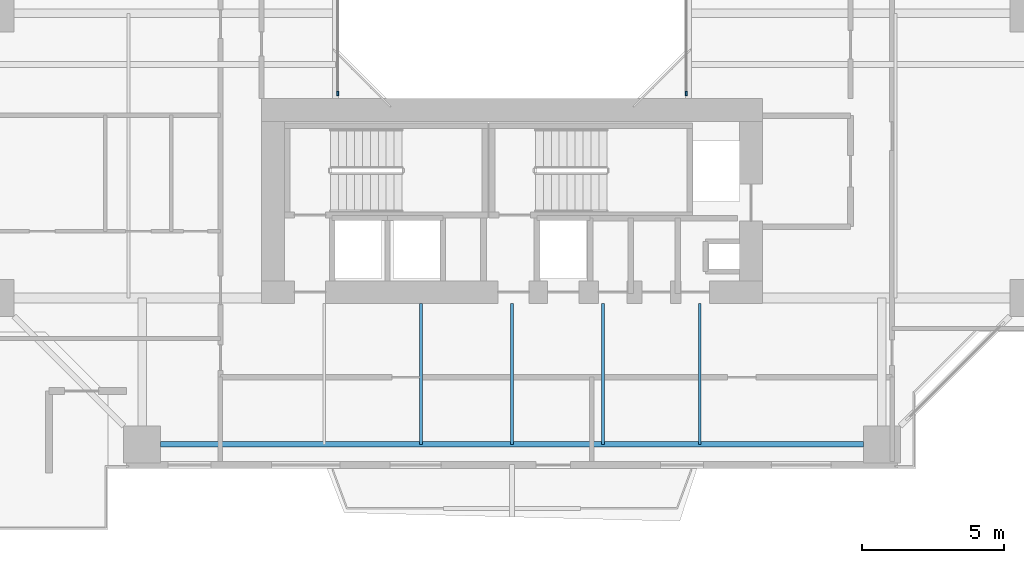
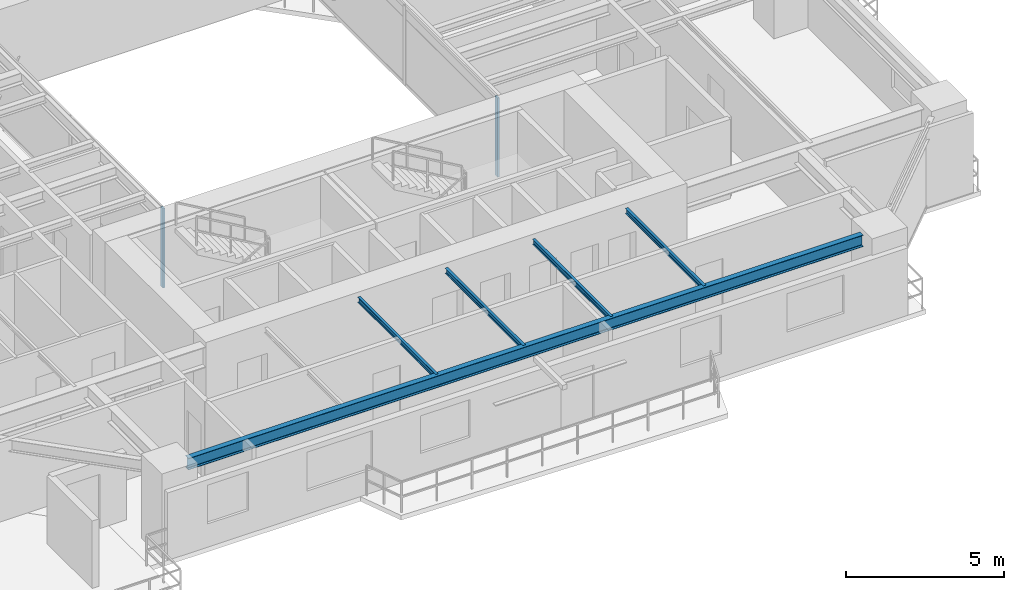
# One storey, part 2 of 24: 5 beams, 2 members, 2 elements without a shape of their own.
"""IFC4 building model written with IfcOpenShell, lengths in metres."""

from ifc_helpers import new_model, si_unit, direction, frame, origin, origin_2d, place, context, subcontext, project, spatial, rectangle, i_section, extrude, source, transform, mapped, material, layer, layer_set, material_profile, profile_set, type_object, element, aggregate, save


model = new_model("IFC4")

# Units and contexts
model_context = context("Model", 3, precision=1e-05, world=origin(), true_north=direction((0.0, 1.0)))
body_context = subcontext(model_context, "Body", "Model", "MODEL_VIEW")
ifc_project = project(units=[si_unit("LENGTHUNIT", "METRE"), si_unit("AREAUNIT", "SQUARE_METRE"), si_unit("VOLUMEUNIT", "CUBIC_METRE"), si_unit("PLANEANGLEUNIT", "RADIAN"), si_unit("MASSUNIT", "GRAM", prefix="KILO"), si_unit("THERMODYNAMICTEMPERATUREUNIT", "KELVIN"), si_unit("POWERUNIT", "WATT")], contexts=[model_context])

# Site, building, storey
site_placement = place(None, origin())
site = spatial("IfcSite", under=ifc_project, at=site_placement, CompositionType="ELEMENT")
building_placement = place(site_placement, origin())
building = spatial("IfcBuilding", under=site, at=building_placement, Name="Qiaomeng Ring Towers", CompositionType="ELEMENT")
storey_placement = place(building_placement, frame((0.0, 0.0, 63.25)))
storey = spatial("IfcBuildingStorey", under=building, at=storey_placement, Name="L17", CompositionType="ELEMENT", Elevation=63.25)

# Beams
ifc_material_1 = material(Name="Steel Q355B", Category="steel")
ifc_material_profile_1 = material_profile(ifc_material_1, i_section(OverallWidth=0.199951171875, OverallDepth=0.449951171875, WebThickness=0.009033203125, FlangeThickness=0.013916015625, FilletRadius=0.01806640625, at=origin_2d()), Name="HN 450x200x9x14")
ifc_profile_set_1 = profile_set([ifc_material_profile_1], Name="Steel Q355B")
beam_type_1 = type_object("IfcBeamType", Name="STR-BM-HN450", PredefinedType="SPANDREL", material=ifc_profile_set_1)
shared_shape_1 = source(origin(), body_context, "Body", "SweptSolid", [
    extrude(i_section(OverallWidth=0.199951171875, OverallDepth=0.449951171875, WebThickness=0.009033203125, FlangeThickness=0.013916015625, FilletRadius=0.01806640625, at=origin_2d()), origin(), (0.0, 0.0, 1.0), 24.7021484375),
])
beam_placement = place(storey_placement, frame((6.64892578125, 4.85009765625, 2.844970703125), z_axis=(1.0, 0.0, 0.0), x_axis=(0.0, 1.0, 0.0)))
element("IfcBeam", 1, at=beam_placement, inside=storey, type_object=beam_type_1, Name="L17 beam STR-SP-L17-T1-S1-S2", PredefinedType="SPANDREL", context=body_context, shape_type="MappedRepresentation", body=[
    mapped(shared_shape_1, transform((0.0, 0.0, 0.0), x_axis=(1.0, 0.0, 0.0), y_axis=(0.0, 1.0, 0.0), z_axis=(0.0, 0.0, 1.0), scale=1.0)),
])
ifc_material_profile_2 = material_profile(ifc_material_1, i_section(OverallWidth=0.10009765625, OverallDepth=0.199951171875, WebThickness=0.005615234375, FlangeThickness=0.008056640625, FilletRadius=0.010986328125, at=origin_2d()), Name="HN 200x100x5.5x8")
ifc_profile_set_2 = profile_set([ifc_material_profile_2], Name="Steel Q355B")
beam_type_2 = type_object("IfcBeamType", Name="STR-BM-HN200", PredefinedType="JOIST", material=ifc_profile_set_2)
shared_shape_2 = source(origin(), body_context, "Body", "SweptSolid", [
    extrude(i_section(OverallWidth=0.10009765625, OverallDepth=0.199951171875, WebThickness=0.005615234375, FlangeThickness=0.008056640625, FilletRadius=0.010986328125, at=origin_2d()), origin(), (0.0, 0.0, 1.0), 4.949951171875),
])
for number, where, z_axis, x_axis, name in (
    (2, (15.800048828125, 4.85009765625, 2.969970703125), (0.0, 1.0, 0.0), (-1.0, 0.0, 0.0), "L17 beam STR-JST-L17-T1S-2"),
    (3, (19.0, 4.85009765625, 2.969970703125), (0.0, 1.0, 0.0), (-1.0, 0.0, 0.0), "L17 beam STR-JST-L17-T1S-3"),
    (4, (22.199951171875, 4.85009765625, 2.969970703125), (0.0, 1.0, 0.0), (-1.0, 0.0, 0.0), "L17 beam STR-JST-L17-T1S-4"),
    (5, (25.60009765625, 4.85009765625, 2.969970703125), (0.0, 1.0, 0.0), (-1.0, 0.0, 0.0), "L17 beam STR-JST-L17-T1S-5"),
):
    element("IfcBeam", number, at=place(storey_placement, frame(where, z_axis=z_axis, x_axis=x_axis)), inside=storey, type_object=beam_type_2, Name=name, PredefinedType="JOIST", context=body_context, shape_type="MappedRepresentation", body=[
        mapped(shared_shape_2, transform((0.0, 0.0, 0.0), x_axis=(1.0, 0.0, 0.0), y_axis=(0.0, 1.0, 0.0), z_axis=(0.0, 0.0, 1.0), scale=1.0)),
    ])

# Curtain wall, member
ifc_material_2 = material(Name="Fluorocarbon dark-grey aluminium", Category="aluminium")
ifc_layer = layer(ifc_material_2, 0.139892578125, Name="Fluorocarbon dark-grey aluminium")
ifc_layer_set = layer_set([ifc_layer], Name="Fluorocarbon dark-grey aluminium")
curtain_wall_type = type_object("IfcCurtainWallType", Name="ARC-CW-4", PredefinedType="NOTDEFINED", material=ifc_layer_set)
curtain_wall_1_placement = place(storey_placement, origin())
curtain_wall_1 = element("IfcCurtainWall", 6, at=curtain_wall_1_placement, inside=storey, type_object=curtain_wall_type, Name="L17 Curtain Wall CW4", PredefinedType="NOTDEFINED")
ifc_material_profile_3 = material_profile(ifc_material_2, rectangle(XDim=0.06494140625, YDim=0.159912109375, at=origin_2d()), Name="ALU MULL 65x160")
ifc_profile_set_3 = profile_set([ifc_material_profile_3], Name="Fluorocarbon dark-grey aluminium")
member_type = type_object("IfcMemberType", Name="ARC-CWM-140", PredefinedType="MULLION", material=ifc_profile_set_3)
shared_shape_3 = source(origin(), body_context, "Body", "SweptSolid", [
    extrude(rectangle(XDim=0.06494140625, YDim=0.159912109375, at=origin_2d()), origin(), (0.0, 0.0, 1.0), 3.070068359375),
])
member_1_placement = place(storey_placement, frame((12.8798828125, 17.1826171875, 0.0), z_axis=(0.0, 0.0, 1.0), x_axis=(-1.0, 0.0, 0.0)))
member_1 = element("IfcMember", 7, at=member_1_placement, type_object=member_type, Name="CW4 mullion 1", PredefinedType="MULLION", context=body_context, shape_type="MappedRepresentation", body=[
    mapped(shared_shape_3, transform((0.0, 0.0, 0.0), x_axis=(1.0, 0.0, 0.0), y_axis=(0.0, 1.0, 0.0), z_axis=(0.0, 0.0, 1.0), scale=1.0)),
])
aggregate(curtain_wall_1, [member_1])

curtain_wall_2_placement = place(storey_placement, origin())
curtain_wall_2 = element("IfcCurtainWall", 8, at=curtain_wall_2_placement, inside=storey, type_object=curtain_wall_type, Name="L17 Curtain Wall CW4", PredefinedType="NOTDEFINED")
member_2_placement = place(storey_placement, frame((25.1201171875, 17.1826171875, 0.0), z_axis=(0.0, 0.0, 1.0), x_axis=(-1.0, 0.0, 0.0)))
member_2 = element("IfcMember", 9, at=member_2_placement, type_object=member_type, Name="CW4 mullion 1", PredefinedType="MULLION", context=body_context, shape_type="MappedRepresentation", body=[
    mapped(shared_shape_3, transform((0.0, 0.0, 0.0), x_axis=(1.0, 0.0, 0.0), y_axis=(0.0, 1.0, 0.0), z_axis=(0.0, 0.0, 1.0), scale=1.0)),
])
aggregate(curtain_wall_2, [member_2])

save(model, "model.ifc")
